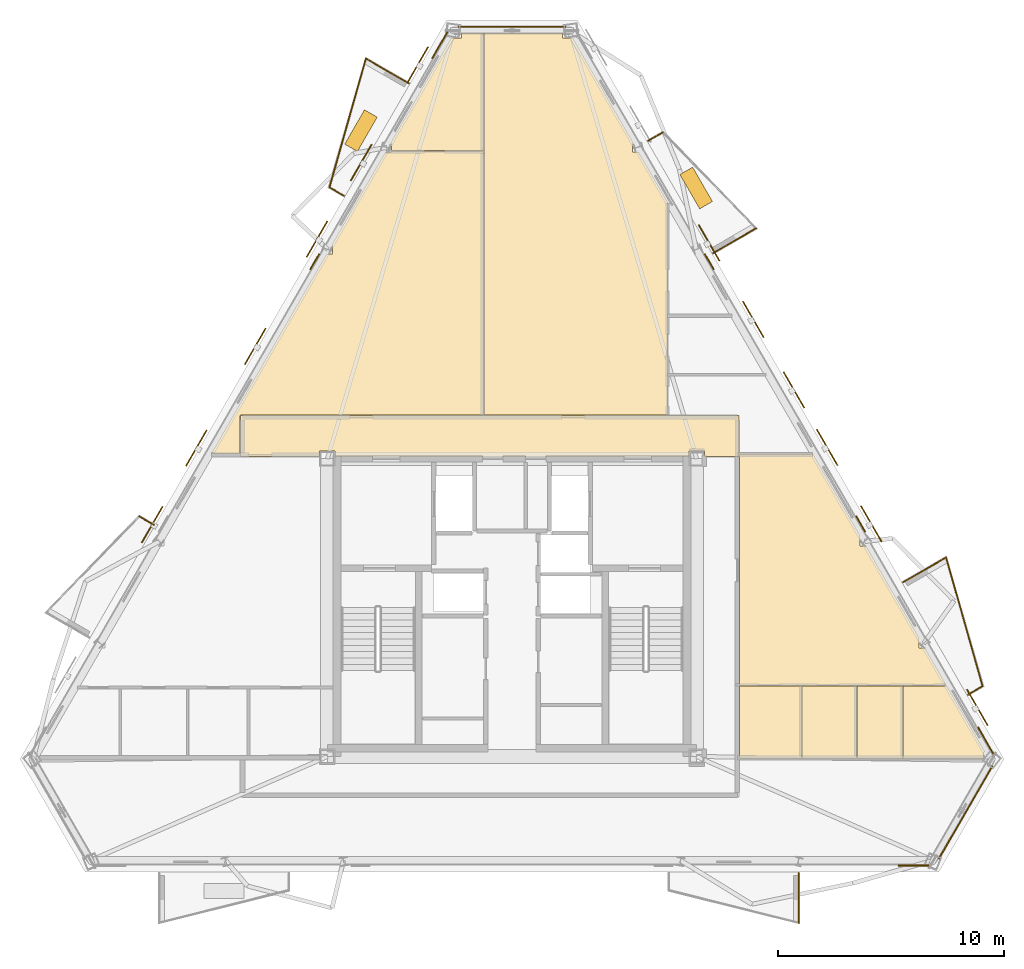
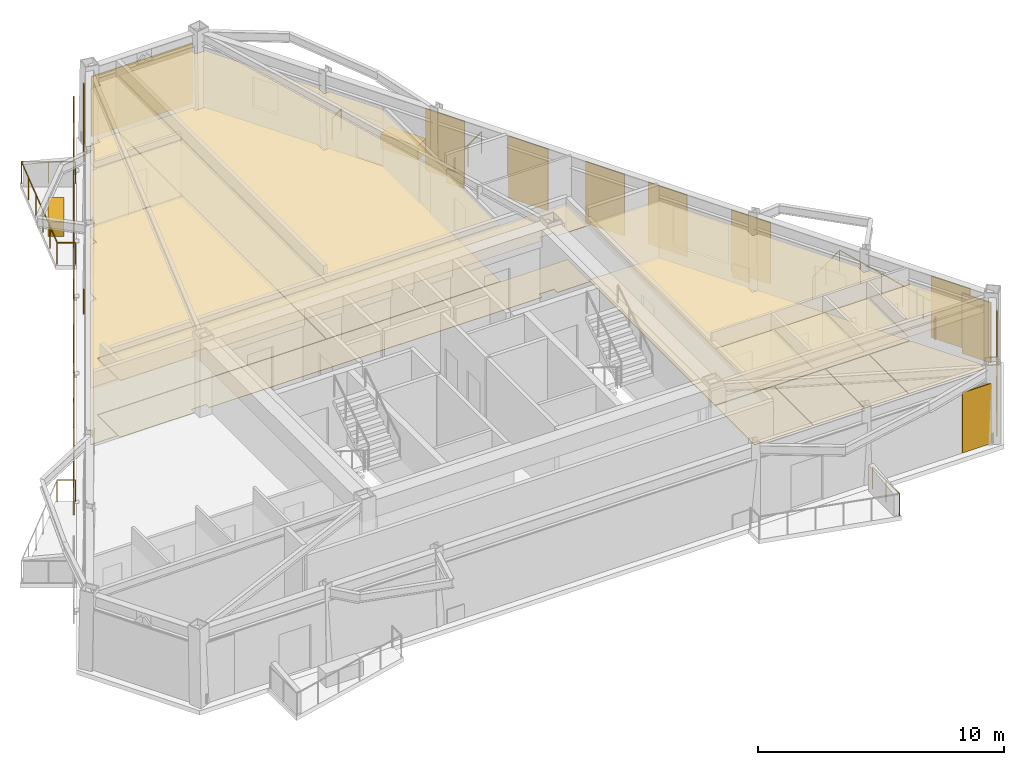
# One storey, part 8 of 9: 28 coverings, 12 shading devices, 10 railings.
"""IFC4 building model written with IfcOpenShell, lengths in metres."""

import ifcopenshell
import ifcopenshell.guid

model = None  # the IFC model being written
_history = None  # IfcOwnerHistory: only IFC2X3 demands one
_inside = {}  # id of a spatial element -> (the spatial element, [elements in it])
_under = {}  # id of a project, library or spatial element -> (it, [spatial elements below it])
_declared = {}  # id of a project -> (the project, [libraries it declares])
_typed = {}  # id of a type object -> (the type object, [elements of that type])
_made_of = {}  # id of a material, layer set ... -> (it, [elements and type objects made of it])


def new_model(schema):
    """Start an empty IFC model of exactly this schema.

    Asked for "IFC4X3", IfcOpenShell would pick the latest addendum, in which some entities
    have other attributes; the version numbers below select the first issue.
    IFC2X3 requires an IfcOwnerHistory on every rooted entity: one is made here for all.
    """
    global model, _history
    if schema == "IFC4X3":
        model = ifcopenshell.file(schema_version=(4, 3, 0, 0))
    else:
        model = ifcopenshell.file(schema=schema)
    _inside.clear()
    _under.clear()
    _declared.clear()
    _typed.clear()
    _made_of.clear()
    _history = None
    if model.schema == "IFC2X3":
        org = make("IfcOrganization", Name="unknown")
        user = make(
            "IfcPersonAndOrganization",
            ThePerson=make("IfcPerson", FamilyName="unknown"),
            TheOrganization=org,
        )
        app = make(
            "IfcApplication",
            ApplicationDeveloper=org,
            Version="unknown",
            ApplicationFullName="unknown",
            ApplicationIdentifier="unknown",
        )
        _history = make(
            "IfcOwnerHistory",
            OwningUser=user,
            OwningApplication=app,
            ChangeAction="ADDED",
            CreationDate=0,
        )
    return model


def make(cls, **values):
    """One entity of the class cls with the attributes given. An attribute that is None is left unset."""
    return model.create_entity(
        cls, **{name: value for name, value in values.items() if value is not None}
    )


def rooted(cls, **values):
    """An entity with a GlobalId (a new one), such as an element, a storey or a relation."""
    return make(cls, GlobalId=ifcopenshell.guid.new(), OwnerHistory=_history, **values)


def si_unit(unit_type, name, prefix=None):
    """IfcSIUnit, for example si_unit("LENGTHUNIT", "METRE", prefix="MILLI")."""
    return make("IfcSIUnit", UnitType=unit_type, Prefix=prefix, Name=name)


def assignment(units):
    """IfcUnitAssignment: the units of a project."""
    return None if units is None else make("IfcUnitAssignment", Units=units)


def point(xyz):
    """IfcCartesianPoint."""
    return None if xyz is None else make("IfcCartesianPoint", Coordinates=xyz)


def direction(xyz):
    """IfcDirection."""
    return None if xyz is None else make("IfcDirection", DirectionRatios=xyz)


def frame(location, z_axis=None, x_axis=None):
    """IfcAxis2Placement3D, a coordinate frame: its origin and axes. An axis left out is left unset."""
    return make(
        "IfcAxis2Placement3D",
        Location=point(location),
        Axis=direction(z_axis),
        RefDirection=direction(x_axis),
    )


def frame_2d(location, x_axis=None):
    """IfcAxis2Placement2D, a coordinate frame in the plane: its origin and x axis."""
    return make(
        "IfcAxis2Placement2D", Location=point(location), RefDirection=direction(x_axis)
    )


def origin():
    """The frame at (0, 0, 0) with its axes left unset."""
    return frame((0.0, 0.0, 0.0))


def origin_2d():
    """The frame at (0, 0) in the plane with its x axis left unset."""
    return frame_2d((0.0, 0.0))


def place(relative_to, where):
    """IfcLocalPlacement: puts the frame where relative to a parent placement (None: the world)."""
    return make(
        "IfcLocalPlacement", PlacementRelTo=relative_to, RelativePlacement=where
    )


def context(
    kind, dimensions, precision=None, world=None, true_north=None, identifier=None
):
    """IfcGeometricRepresentationContext, for example the 3D "Model" context."""
    return make(
        "IfcGeometricRepresentationContext",
        ContextIdentifier=identifier,
        ContextType=kind,
        CoordinateSpaceDimension=dimensions,
        Precision=precision,
        WorldCoordinateSystem=world,
        TrueNorth=true_north,
    )


def subcontext(parent, identifier, kind, view, scale=None):
    """IfcGeometricRepresentationSubContext, for example "Body" below "Model"."""
    return make(
        "IfcGeometricRepresentationSubContext",
        ContextIdentifier=identifier,
        ContextType=kind,
        ParentContext=parent,
        TargetScale=scale,
        TargetView=view,
    )


def project(units=None, contexts=None):
    """IfcProject with its units and contexts."""
    return rooted(
        "IfcProject",
        Name="project",
        RepresentationContexts=contexts,
        UnitsInContext=assignment(units),
    )


def spatial(cls, under=None, at=None, **own):
    """A site, building, storey or space (cls), placed at a placement, below another one or the project."""
    s = rooted(cls, ObjectPlacement=at, **own)
    if under is not None:
        _under.setdefault(under.id(), (under, []))[1].append(s)
    return s


def polyline(points):
    """IfcPolyline through the points."""
    return make("IfcPolyline", Points=[point(p) for p in points])


def profile(cls, at=None, kind="AREA", **sizes):
    """A parametric profile (cls). Its sizes go by their IFC names, for example OverallWidth=200.0."""
    return make(cls, ProfileType=kind, Position=at, **sizes)


def rectangle(**sizes):
    """IfcRectangleProfileDef."""
    return profile("IfcRectangleProfileDef", **sizes)


def circle(**sizes):
    """IfcCircleProfileDef."""
    return profile("IfcCircleProfileDef", **sizes)


def outline(outer, holes=None, kind="AREA"):
    """IfcArbitraryClosedProfileDef: a profile drawn as a closed curve; with holes, ...WithVoids."""
    if holes is None:
        return make("IfcArbitraryClosedProfileDef", ProfileType=kind, OuterCurve=outer)
    return make(
        "IfcArbitraryProfileDefWithVoids",
        ProfileType=kind,
        OuterCurve=outer,
        InnerCurves=holes,
    )


def extrude(swept, where, along, depth):
    """IfcExtrudedAreaSolid: the profile swept, set in the frame where, extruded along a direction by depth."""
    return make(
        "IfcExtrudedAreaSolid",
        SweptArea=swept,
        Position=where,
        ExtrudedDirection=direction(along),
        Depth=depth,
    )


def shape(context_of_items, identifier, shape_type, items):
    """IfcShapeRepresentation: the items that make up one representation, for example the "Body"."""
    return make(
        "IfcShapeRepresentation",
        ContextOfItems=context_of_items,
        RepresentationIdentifier=identifier,
        RepresentationType=shape_type,
        Items=items,
    )


def material(Name=None, Category=None):
    """IfcMaterial."""
    return make("IfcMaterial", Name=Name, Category=Category)


def layer(
    of_material, thickness, ventilated=None, Name=None, Category=None, Priority=None
):
    """IfcMaterialLayer: one layer of a wall or slab, of a material (None: an air gap)."""
    return make(
        "IfcMaterialLayer",
        Material=of_material,
        LayerThickness=thickness,
        IsVentilated=ventilated,
        Name=Name,
        Category=Category,
        Priority=Priority,
    )


def layer_set(layers, Name=None):
    """IfcMaterialLayerSet."""
    return make("IfcMaterialLayerSet", MaterialLayers=layers, LayerSetName=Name)


def made_of(thing, what):
    """Note that an element or type object is made of a material, layer set ...; save() writes the relation."""
    if what is not None:
        _made_of.setdefault(what.id(), (what, []))[1].append(thing)
    return thing


def type_object(cls, material=None, **own):
    """A type object (cls), such as IfcWallType, which elements share."""
    return made_of(rooted(cls, **own), material)


def element(
    cls,
    number,
    at=None,
    inside=None,
    cuts=None,
    type_object=None,
    material=None,
    context=None,
    identifier="Body",
    shape_type=None,
    held_by="IfcProductDefinitionShape",
    body=None,
    shapes=None,
    **own,
):
    """One element of the class cls, such as IfcWall. Its Tag is "e" and its number.

    at: its placement. inside: the storey or other place that contains it. cuts: it is an
    opening in that element (IfcRelVoidsElement). A single representation is given by context,
    identifier, shape_type and body (its items); several are given by shapes. held_by: the class
    of the entity that holds the representations. save() writes the other relations.
    """
    e = rooted(cls, Tag="e%d" % number, ObjectPlacement=at, **own)
    if body is not None:
        shapes = [shape(context, identifier, shape_type, body)]
    if shapes is not None:
        e.Representation = make(held_by, Representations=shapes)
    if inside is not None:
        _inside.setdefault(inside.id(), (inside, []))[1].append(e)
    if cuts is not None:
        rooted(
            "IfcRelVoidsElement", RelatingBuildingElement=cuts, RelatedOpeningElement=e
        )
    if type_object is not None:
        _typed.setdefault(type_object.id(), (type_object, []))[1].append(e)
    return made_of(e, material)


def aggregate(whole, parts):
    """IfcRelAggregates: a whole, such as a stair, and the parts it consists of."""
    return rooted("IfcRelAggregates", RelatingObject=whole, RelatedObjects=parts)


def save(model, path):
    """Write the relations noted so far, then the file.

    IfcRelAggregates (storeys below a building ...), IfcRelContainedInSpatialStructure (elements
    in a storey), IfcRelDefinesByType, IfcRelAssociatesMaterial and IfcRelDeclares: one each for
    every whole, place, type object, material and project.
    """
    for whole, parts in _under.values():
        aggregate(whole, parts)
    for where, things in _inside.values():
        rooted(
            "IfcRelContainedInSpatialStructure",
            RelatedElements=things,
            RelatingStructure=where,
        )
    for kind, things in _typed.values():
        rooted("IfcRelDefinesByType", RelatedObjects=things, RelatingType=kind)
    for what, things in _made_of.values():
        rooted("IfcRelAssociatesMaterial", RelatedObjects=things, RelatingMaterial=what)
    for by, libraries in _declared.values():
        rooted("IfcRelDeclares", RelatingContext=by, RelatedDefinitions=libraries)
    model.write(path)


model = new_model("IFC4")

# Units and contexts
model_context = context("Model", 3, precision=1e-05, world=origin(), true_north=direction((0.0, 1.0)))
body_context = subcontext(model_context, "Body", "Model", "MODEL_VIEW")
ifc_project = project(units=[si_unit("LENGTHUNIT", "METRE"), si_unit("AREAUNIT", "SQUARE_METRE"), si_unit("VOLUMEUNIT", "CUBIC_METRE"), si_unit("PLANEANGLEUNIT", "RADIAN"), si_unit("MASSUNIT", "GRAM", prefix="KILO")], contexts=[model_context])

# Site, building, storey
site_placement = place(None, origin())
site = spatial("IfcSite", under=ifc_project, at=site_placement, CompositionType="ELEMENT")
building_placement = place(site_placement, origin())
building = spatial("IfcBuilding", under=site, at=building_placement, Name="Oramaril Tower", CompositionType="ELEMENT")
storey_placement = place(building_placement, frame((0.0, 0.0, 257.699951171875)))
storey = spatial("IfcBuildingStorey", under=building, at=storey_placement, Name="L68", CompositionType="ELEMENT", Elevation=257.699951171875)

# Coverings
ifc_material_1 = material(Name="Mineral Fibre Acoustic Ceiling")
ifc_layer_1 = layer(ifc_material_1, 0.02001953125)
ifc_layer_set_1 = layer_set([ifc_layer_1], Name="CVT-CEIL")
covering_type_1 = type_object("IfcCoveringType", Name="CVT-CEIL", PredefinedType="CEILING", material=ifc_layer_set_1)
covering_1_placement = place(storey_placement, frame((0.0, 0.0, 2.81201171875)))
element("IfcCovering", 1, at=covering_1_placement, inside=storey, type_object=covering_type_1, Name="L68 Acoustic Suspended Ceiling 2", PredefinedType="CEILING", context=body_context, shape_type="SweptSolid", body=[
    extrude(outline(polyline([(47.530029296875, 24.239990234375), (45.9951171875, 24.239990234375), (45.9951171875, 24.4951171875), (45.304931640625, 24.4951171875), (45.304931640625, 24.25), (29.695068359375, 24.25), (29.695068359375, 24.4951171875), (29.0048828125, 24.4951171875), (29.0048828125, 24.239990234375), (25.52001953125, 24.239990234375), (25.52001953125, 26.050048828125), (47.530029296875, 26.050048828125), (47.530029296875, 24.239990234375)])), origin(), (0.0, 0.0, 1.0), 0.02001953125),
])
covering_2_placement = place(storey_placement, frame((0.0, 0.0, 2.81201171875)))
element("IfcCovering", 2, at=covering_2_placement, inside=storey, type_object=covering_type_1, Name="L68 Acoustic Suspended Ceiling 9", PredefinedType="CEILING", context=body_context, shape_type="SweptSolid", body=[
    extrude(outline(polyline([(52.8759765625, 20.744873046875), (52.865478515625, 20.744873046875), (52.865478515625, 20.293212890625), (53.13671875, 20.293212890625), (55.4765625, 16.240478515625), (55.469482421875, 16.240478515625), (55.469482421875, 15.78271484375), (55.74072265625, 15.78271484375), (56.6962890625, 14.1279296875), (47.550048828125, 14.1279296875), (47.550048828125, 24.219970703125), (47.5498046875, 24.221923828125), (47.549560546875, 24.223876953125), (47.549072265625, 24.225830078125), (47.548583984375, 24.227783203125), (47.547607421875, 24.2294921875), (47.54736328125, 24.22998046875), (47.547607421875, 24.230712890625), (47.548583984375, 24.232421875), (47.549072265625, 24.234130859375), (47.549560546875, 24.236083984375), (47.5498046875, 24.238037109375), (47.550048828125, 24.239990234375), (47.550048828125, 24.362060546875), (50.78759765625, 24.362060546875), (52.8759765625, 20.744873046875)])), origin(), (0.0, 0.0, 1.0), 0.02001953125),
])
covering_3_placement = place(storey_placement, frame((0.0, 0.0, 2.81201171875)))
element("IfcCovering", 3, at=covering_3_placement, inside=storey, type_object=covering_type_1, Name="L68 Acoustic Suspended Ceiling 10", PredefinedType="CEILING", context=body_context, shape_type="SweptSolid", body=[
    extrude(outline(polyline([(50.292724609375, 10.907958984375), (47.550048828125, 10.907958984375), (47.550048828125, 11.030029296875), (47.5498046875, 11.031982421875), (47.549560546875, 11.033935546875), (47.549072265625, 11.035888671875), (47.548583984375, 11.03759765625), (47.547607421875, 11.039306640625), (47.54736328125, 11.0400390625), (47.547607421875, 11.04052734375), (47.548583984375, 11.042236328125), (47.549072265625, 11.044189453125), (47.549560546875, 11.046142578125), (47.5498046875, 11.048095703125), (47.550048828125, 11.050048828125), (47.550048828125, 14.10791015625), (50.292724609375, 14.10791015625), (50.292724609375, 10.907958984375)])), origin(), (0.0, 0.0, 1.0), 0.02001953125),
])
covering_4_placement = place(storey_placement, frame((0.0, 0.0, 2.81201171875)))
element("IfcCovering", 4, at=covering_4_placement, inside=storey, type_object=covering_type_1, Name="L68 Acoustic Suspended Ceiling 11", PredefinedType="CEILING", context=body_context, shape_type="SweptSolid", body=[
    extrude(outline(polyline([(50.312744140625, 10.907958984375), (50.312744140625, 14.10791015625), (52.7041015625, 14.10791015625), (52.7041015625, 10.907958984375), (50.312744140625, 10.907958984375)])), origin(), (0.0, 0.0, 1.0), 0.02001953125),
])
covering_5_placement = place(storey_placement, frame((0.0, 0.0, 2.81201171875)))
element("IfcCovering", 5, at=covering_5_placement, inside=storey, type_object=covering_type_1, Name="L68 Acoustic Suspended Ceiling 12", PredefinedType="CEILING", context=body_context, shape_type="SweptSolid", body=[
    extrude(outline(polyline([(52.72412109375, 10.907958984375), (52.72412109375, 14.10791015625), (54.75390625, 14.10791015625), (54.75390625, 10.907958984375), (52.72412109375, 10.907958984375)])), origin(), (0.0, 0.0, 1.0), 0.02001953125),
])
covering_6_placement = place(storey_placement, frame((0.0, 0.0, 2.81201171875)))
element("IfcCovering", 6, at=covering_6_placement, inside=storey, type_object=covering_type_1, Name="L68 Acoustic Suspended Ceiling 13", PredefinedType="CEILING", context=body_context, shape_type="SweptSolid", body=[
    extrude(outline(polyline([(58.33203125, 11.2060546875), (58.33203125, 10.907958984375), (54.77392578125, 10.907958984375), (54.77392578125, 14.10791015625), (56.6962890625, 14.10791015625), (56.6982421875, 14.108154296875), (56.7001953125, 14.1083984375), (56.7021484375, 14.10888671875), (56.703857421875, 14.109619140625), (56.705810546875, 14.1103515625), (56.706298828125, 14.110595703125), (58.38330078125, 11.2060546875), (58.33203125, 11.2060546875)])), origin(), (0.0, 0.0, 1.0), 0.02001953125),
])
covering_7_placement = place(storey_placement, frame((0.0, 0.0, 2.81201171875)))
element("IfcCovering", 7, at=covering_7_placement, inside=storey, type_object=covering_type_1, Name="L68 Acoustic Suspended Ceiling 14", PredefinedType="CEILING", context=body_context, shape_type="SweptSolid", body=[
    extrude(outline(polyline([(29.30322265625, 33.179443359375), (29.574462890625, 33.179443359375), (29.574462890625, 33.614501953125), (29.554443359375, 33.614501953125), (31.9072265625, 37.689697265625), (32.178466796875, 37.689697265625), (32.178466796875, 37.7470703125), (36.241943359375, 37.7470703125), (36.241943359375, 26.070068359375), (25.52001953125, 26.070068359375), (25.51806640625, 26.06982421875), (25.51611328125, 26.069580078125), (25.51416015625, 26.069091796875), (25.51220703125, 26.068603515625), (25.510498046875, 26.067626953125), (25.5087890625, 26.066650390625), (25.50732421875, 26.0654296875), (25.505859375, 26.064208984375), (25.50439453125, 26.062744140625), (25.50341796875, 26.06103515625), (25.50244140625, 26.059326171875), (25.50146484375, 26.0576171875), (25.5009765625, 26.055908203125), (25.50048828125, 26.053955078125), (25.5, 26.052001953125), (25.5, 26.050048828125), (25.5, 24.382080078125), (24.22412109375, 24.382080078125), (29.30322265625, 33.179443359375)])), origin(), (0.0, 0.0, 1.0), 0.02001953125),
])
covering_8_placement = place(storey_placement, frame((0.0, 0.0, 2.81201171875)))
element("IfcCovering", 8, at=covering_8_placement, inside=storey, type_object=covering_type_1, Name="L68 Acoustic Suspended Ceiling 15", PredefinedType="CEILING", context=body_context, shape_type="SweptSolid", body=[
    extrude(outline(polyline([(32.178466796875, 38.118896484375), (32.15478515625, 38.118896484375), (34.817626953125, 42.73095703125), (35.26806640625, 42.73095703125), (35.26806640625, 42.952392578125), (36.241943359375, 42.952392578125), (36.241943359375, 37.76708984375), (32.178466796875, 37.76708984375), (32.178466796875, 38.118896484375)])), origin(), (0.0, 0.0, 1.0), 0.02001953125),
])
covering_9_placement = place(storey_placement, frame((0.0, 0.0, 2.81201171875)))
element("IfcCovering", 9, at=covering_9_placement, inside=storey, type_object=covering_type_1, Name="L68 Acoustic Suspended Ceiling 16", PredefinedType="CEILING", context=body_context, shape_type="SweptSolid", body=[
    extrude(outline(polyline([(39.73193359375, 42.952392578125), (39.73193359375, 42.73095703125), (40.182373046875, 42.73095703125), (42.844970703125, 38.118896484375), (42.821533203125, 38.118896484375), (42.821533203125, 37.689697265625), (43.0927734375, 37.689697265625), (44.3974609375, 35.429931640625), (44.3974609375, 26.070068359375), (36.261962890625, 26.070068359375), (36.261962890625, 37.7470703125), (36.261962890625, 37.7490234375), (36.26171875, 37.7509765625), (36.260986328125, 37.752685546875), (36.260498046875, 37.754638671875), (36.259521484375, 37.75634765625), (36.25927734375, 37.757080078125), (36.259521484375, 37.757568359375), (36.260498046875, 37.75927734375), (36.260986328125, 37.76123046875), (36.26171875, 37.76318359375), (36.261962890625, 37.764892578125), (36.261962890625, 37.76708984375), (36.261962890625, 42.952392578125), (39.73193359375, 42.952392578125)])), origin(), (0.0, 0.0, 1.0), 0.02001953125),
])
ifc_material_2 = material(Name="Warm Cream Limestone", Category="masonry")
ifc_layer_2 = layer(ifc_material_2, 0.050048828125)
ifc_layer_set_2 = layer_set([ifc_layer_2], Name="CVT-CLD")
covering_type_2 = type_object("IfcCoveringType", Name="CVT-CLD", PredefinedType="CLADDING", material=ifc_layer_set_2)
covering_10_placement = place(storey_placement, frame((55.2255859375, 6.185546875, 0.0400390625), z_axis=(0.0, 0.0, 1.0), x_axis=(1.0, 0.0, 0.0)))
element("IfcCovering", 10, at=covering_10_placement, inside=storey, type_object=covering_type_2, Name="L68 Warm Cream Limestone Cladding", PredefinedType="CLADDING", context=body_context, shape_type="SweptSolid", body=[
    extrude(rectangle(XDim=1.35009765625, YDim=0.050048828125, at=origin_2d()), origin(), (0.0, 0.0, 1.0), 2.97802734375),
])
covering_11_placement = place(storey_placement, frame((57.529541015625, 8.535888671875, 0.0400390625), z_axis=(0.0, 0.0, 1.0), x_axis=(0.500009068969, 0.866020167749, 0.0)))
element("IfcCovering", 11, at=covering_11_placement, inside=storey, type_object=covering_type_2, Name="L68 Warm Cream Limestone Cladding", PredefinedType="CLADDING", context=body_context, shape_type="SweptSolid", body=[
    extrude(rectangle(XDim=4.733642578125, YDim=0.050048828125, at=origin_2d()), origin(), (0.0, 0.0, 1.0), 2.97802734375),
])
covering_12_placement = place(storey_placement, frame((58.4130859375, 11.706298828125, 0.0400390625), z_axis=(0.0, 0.0, 1.0), x_axis=(-0.5, 0.866025403784, 0.0)))
element("IfcCovering", 12, at=covering_12_placement, inside=storey, type_object=covering_type_2, Name="L68 Warm Cream Limestone Cladding", PredefinedType="CLADDING", context=body_context, shape_type="SweptSolid", body=[
    extrude(rectangle(XDim=1.35009765625, YDim=0.050048828125, at=origin_2d()), origin(), (0.0, 0.0, 1.0), 2.97802734375),
])
for number, where, z_axis, x_axis, name in (
    (13, (52.893798828125, 21.265869140625, 0.0400390625), (0.0, 0.0, 1.0), (-0.5, 0.866025403784, 0.0), "L68 Warm Cream Limestone Spandrel Cladding"),
    (14, (46.20654296875, 32.8486328125, 0.0400390625), (0.0, 0.0, 1.0), (-0.5, 0.866025403784, 0.0), "L68 Warm Cream Limestone Spandrel Cladding"),
):
    element("IfcCovering", number, at=place(storey_placement, frame(where, z_axis=z_axis, x_axis=x_axis)), inside=storey, type_object=covering_type_2, Name=name, PredefinedType="CLADDING", context=body_context, shape_type="SweptSolid", body=[
        extrude(rectangle(XDim=0.800048828125, YDim=0.050048828125, at=origin_2d()), origin(), (0.0, 0.0, 1.0), 0.679931640625),
    ])
covering_13_placement = place(storey_placement, frame((37.5, 43.228271484375, 0.0400390625), z_axis=(0.0, 0.0, 1.0), x_axis=(-1.0, 0.0, 0.0)))
element("IfcCovering", 15, at=covering_13_placement, inside=storey, type_object=covering_type_2, Name="L68 Warm Cream Limestone Cladding", PredefinedType="CLADDING", context=body_context, shape_type="SweptSolid", body=[
    extrude(rectangle(XDim=4.733642578125, YDim=0.050048828125, at=origin_2d()), origin(), (0.0, 0.0, 1.0), 2.97802734375),
])
covering_14_placement = place(storey_placement, frame((34.312744140625, 42.408203125, 0.0400390625), z_axis=(0.0, 0.0, 1.0), x_axis=(-0.5, -0.866025403784, 0.0)))
element("IfcCovering", 16, at=covering_14_placement, inside=storey, type_object=covering_type_2, Name="L68 Warm Cream Limestone Cladding", PredefinedType="CLADDING", context=body_context, shape_type="SweptSolid", body=[
    extrude(rectangle(XDim=1.35009765625, YDim=0.050048828125, at=origin_2d()), origin(), (0.0, 0.0, 1.0), 2.97802734375),
])
covering_15_placement = place(storey_placement, frame((28.79345703125, 32.8486328125, 0.0400390625), z_axis=(0.0, 0.0, 1.0), x_axis=(-0.5, -0.866025403784, 0.0)))
element("IfcCovering", 17, at=covering_15_placement, inside=storey, type_object=covering_type_2, Name="L68 Warm Cream Limestone Spandrel Cladding", PredefinedType="CLADDING", context=body_context, shape_type="SweptSolid", body=[
    extrude(rectangle(XDim=0.800048828125, YDim=0.050048828125, at=origin_2d()), origin(), (0.0, 0.0, 1.0), 0.679931640625),
])
for number, where, z_axis, x_axis, name in (
    (18, (45.6318359375, 36.10107421875, 0.0), (0.0, 0.0, 1.0), (-0.500001511499, 0.866024531118, 0.0), "L68 Structural Tree Planter Box L68-BAL-NE2"),
    (19, (30.83056640625, 38.63427734375, 0.0), (0.0, 0.0, 1.0), (-0.500001511499, -0.866024531118, 0.0), "L68 Structural Tree Planter Box L68-BAL-NW1"),
):
    element("IfcCovering", number, at=place(storey_placement, frame(where, z_axis=z_axis, x_axis=x_axis)), inside=storey, type_object=covering_type_2, Name=name, PredefinedType="CLADDING", context=body_context, shape_type="SweptSolid", body=[
        extrude(rectangle(XDim=1.75, YDim=0.64990234375, at=origin_2d()), origin(), (0.0, 0.0, 1.0), 0.699951171875),
    ])
ifc_material_3 = material(Name="Honed Quartzite Stone Flooring", Category="masonry")
ifc_layer_3 = layer(ifc_material_3, 0.02490234375)
ifc_layer_set_3 = layer_set([ifc_layer_3], Name="CVT-FLR")
covering_type_3 = type_object("IfcCoveringType", Name="CVT-FLR", PredefinedType="FLOORING", material=ifc_layer_set_3)
covering_16_placement = place(storey_placement, origin())
element("IfcCovering", 20, at=covering_16_placement, inside=storey, type_object=covering_type_3, Name="L68 Honed Stone Floor Finish 2", PredefinedType="FLOORING", context=body_context, shape_type="SweptSolid", body=[
    extrude(outline(polyline([(47.530029296875, 24.239990234375), (45.9951171875, 24.239990234375), (45.9951171875, 24.4951171875), (45.304931640625, 24.4951171875), (45.304931640625, 24.25), (29.695068359375, 24.25), (29.695068359375, 24.4951171875), (29.0048828125, 24.4951171875), (29.0048828125, 24.239990234375), (25.52001953125, 24.239990234375), (25.52001953125, 26.050048828125), (47.530029296875, 26.050048828125), (47.530029296875, 24.239990234375)])), origin(), (0.0, 0.0, 1.0), 0.025146484375),
])
covering_17_placement = place(storey_placement, origin())
element("IfcCovering", 21, at=covering_17_placement, inside=storey, type_object=covering_type_3, Name="L68 Honed Stone Floor Finish 9", PredefinedType="FLOORING", context=body_context, shape_type="SweptSolid", body=[
    extrude(outline(polyline([(52.8759765625, 20.744873046875), (52.865478515625, 20.744873046875), (52.865478515625, 20.293212890625), (53.13671875, 20.293212890625), (55.4765625, 16.240478515625), (55.469482421875, 16.240478515625), (55.469482421875, 15.78271484375), (55.74072265625, 15.78271484375), (56.6962890625, 14.1279296875), (47.550048828125, 14.1279296875), (47.550048828125, 24.219970703125), (47.5498046875, 24.221923828125), (47.549560546875, 24.223876953125), (47.549072265625, 24.225830078125), (47.548583984375, 24.227783203125), (47.547607421875, 24.2294921875), (47.54736328125, 24.22998046875), (47.547607421875, 24.230712890625), (47.548583984375, 24.232421875), (47.549072265625, 24.234130859375), (47.549560546875, 24.236083984375), (47.5498046875, 24.238037109375), (47.550048828125, 24.239990234375), (47.550048828125, 24.362060546875), (50.78759765625, 24.362060546875), (52.8759765625, 20.744873046875)])), origin(), (0.0, 0.0, 1.0), 0.025146484375),
])
covering_18_placement = place(storey_placement, origin())
element("IfcCovering", 22, at=covering_18_placement, inside=storey, type_object=covering_type_3, Name="L68 Honed Stone Floor Finish 10", PredefinedType="FLOORING", context=body_context, shape_type="SweptSolid", body=[
    extrude(outline(polyline([(50.292724609375, 10.907958984375), (47.550048828125, 10.907958984375), (47.550048828125, 11.030029296875), (47.5498046875, 11.031982421875), (47.549560546875, 11.033935546875), (47.549072265625, 11.035888671875), (47.548583984375, 11.03759765625), (47.547607421875, 11.039306640625), (47.54736328125, 11.0400390625), (47.547607421875, 11.04052734375), (47.548583984375, 11.042236328125), (47.549072265625, 11.044189453125), (47.549560546875, 11.046142578125), (47.5498046875, 11.048095703125), (47.550048828125, 11.050048828125), (47.550048828125, 14.10791015625), (50.292724609375, 14.10791015625), (50.292724609375, 10.907958984375)])), origin(), (0.0, 0.0, 1.0), 0.025146484375),
])
covering_19_placement = place(storey_placement, origin())
element("IfcCovering", 23, at=covering_19_placement, inside=storey, type_object=covering_type_3, Name="L68 Honed Stone Floor Finish 11", PredefinedType="FLOORING", context=body_context, shape_type="SweptSolid", body=[
    extrude(outline(polyline([(50.312744140625, 10.907958984375), (50.312744140625, 14.10791015625), (52.7041015625, 14.10791015625), (52.7041015625, 10.907958984375), (50.312744140625, 10.907958984375)])), origin(), (0.0, 0.0, 1.0), 0.025146484375),
])
covering_20_placement = place(storey_placement, origin())
element("IfcCovering", 24, at=covering_20_placement, inside=storey, type_object=covering_type_3, Name="L68 Honed Stone Floor Finish 12", PredefinedType="FLOORING", context=body_context, shape_type="SweptSolid", body=[
    extrude(outline(polyline([(52.72412109375, 10.907958984375), (52.72412109375, 14.10791015625), (54.75390625, 14.10791015625), (54.75390625, 10.907958984375), (52.72412109375, 10.907958984375)])), origin(), (0.0, 0.0, 1.0), 0.025146484375),
])
covering_21_placement = place(storey_placement, origin())
element("IfcCovering", 25, at=covering_21_placement, inside=storey, type_object=covering_type_3, Name="L68 Honed Stone Floor Finish 13", PredefinedType="FLOORING", context=body_context, shape_type="SweptSolid", body=[
    extrude(outline(polyline([(58.33203125, 11.2060546875), (58.33203125, 10.907958984375), (54.77392578125, 10.907958984375), (54.77392578125, 14.10791015625), (56.6962890625, 14.10791015625), (56.6982421875, 14.108154296875), (56.7001953125, 14.1083984375), (56.7021484375, 14.10888671875), (56.703857421875, 14.109619140625), (56.705810546875, 14.1103515625), (56.706298828125, 14.110595703125), (58.38330078125, 11.2060546875), (58.33203125, 11.2060546875)])), origin(), (0.0, 0.0, 1.0), 0.025146484375),
])
covering_22_placement = place(storey_placement, origin())
element("IfcCovering", 26, at=covering_22_placement, inside=storey, type_object=covering_type_3, Name="L68 Honed Stone Floor Finish 14", PredefinedType="FLOORING", context=body_context, shape_type="SweptSolid", body=[
    extrude(outline(polyline([(29.30322265625, 33.179443359375), (29.574462890625, 33.179443359375), (29.574462890625, 33.614501953125), (29.554443359375, 33.614501953125), (31.9072265625, 37.689697265625), (32.178466796875, 37.689697265625), (32.178466796875, 37.7470703125), (36.241943359375, 37.7470703125), (36.241943359375, 26.070068359375), (25.52001953125, 26.070068359375), (25.51806640625, 26.06982421875), (25.51611328125, 26.069580078125), (25.51416015625, 26.069091796875), (25.51220703125, 26.068603515625), (25.510498046875, 26.067626953125), (25.5087890625, 26.066650390625), (25.50732421875, 26.0654296875), (25.505859375, 26.064208984375), (25.50439453125, 26.062744140625), (25.50341796875, 26.06103515625), (25.50244140625, 26.059326171875), (25.50146484375, 26.0576171875), (25.5009765625, 26.055908203125), (25.50048828125, 26.053955078125), (25.5, 26.052001953125), (25.5, 26.050048828125), (25.5, 24.382080078125), (24.22412109375, 24.382080078125), (29.30322265625, 33.179443359375)])), origin(), (0.0, 0.0, 1.0), 0.025146484375),
])
covering_23_placement = place(storey_placement, origin())
element("IfcCovering", 27, at=covering_23_placement, inside=storey, type_object=covering_type_3, Name="L68 Honed Stone Floor Finish 15", PredefinedType="FLOORING", context=body_context, shape_type="SweptSolid", body=[
    extrude(outline(polyline([(32.178466796875, 38.118896484375), (32.15478515625, 38.118896484375), (34.817626953125, 42.73095703125), (35.26806640625, 42.73095703125), (35.26806640625, 42.952392578125), (36.241943359375, 42.952392578125), (36.241943359375, 37.76708984375), (32.178466796875, 37.76708984375), (32.178466796875, 38.118896484375)])), origin(), (0.0, 0.0, 1.0), 0.025146484375),
])
covering_24_placement = place(storey_placement, origin())
element("IfcCovering", 28, at=covering_24_placement, inside=storey, type_object=covering_type_3, Name="L68 Honed Stone Floor Finish 16", PredefinedType="FLOORING", context=body_context, shape_type="SweptSolid", body=[
    extrude(outline(polyline([(39.73193359375, 42.952392578125), (39.73193359375, 42.73095703125), (40.182373046875, 42.73095703125), (42.844970703125, 38.118896484375), (42.821533203125, 38.118896484375), (42.821533203125, 37.689697265625), (43.0927734375, 37.689697265625), (44.3974609375, 35.429931640625), (44.3974609375, 26.070068359375), (36.261962890625, 26.070068359375), (36.261962890625, 37.7470703125), (36.261962890625, 37.7490234375), (36.26171875, 37.7509765625), (36.260986328125, 37.752685546875), (36.260498046875, 37.754638671875), (36.259521484375, 37.75634765625), (36.25927734375, 37.757080078125), (36.259521484375, 37.757568359375), (36.260498046875, 37.75927734375), (36.260986328125, 37.76123046875), (36.26171875, 37.76318359375), (36.261962890625, 37.764892578125), (36.261962890625, 37.76708984375), (36.261962890625, 42.952392578125), (39.73193359375, 42.952392578125)])), origin(), (0.0, 0.0, 1.0), 0.025146484375),
])

# Railings
ifc_material_4 = material(Name="Stainless Steel 316L", Category="steel")
railing_type = type_object("IfcRailingType", Name="RLT-GRD", PredefinedType="GUARDRAIL", material=ifc_material_4)
railing_1_placement = place(storey_placement, frame((50.15625, 5.845703125, 0.0)))
element("IfcRailing", 29, at=railing_1_placement, inside=storey, type_object=railing_type, Name="L68 Balcony Guardrail L68-BAL-S2.1", PredefinedType="GUARDRAIL", context=body_context, shape_type="SweptSolid", body=[
    extrude(circle(Radius=0.02392578125, at=origin_2d()), frame((0.0, 0.0, 1.076171875), z_axis=(0.0, -1.0, 0.0), x_axis=(1.0, 0.0, 0.0)), (0.0, 0.0, 1.0), 2.192138671875),
    extrude(circle(Radius=0.02099609375, at=origin_2d()), origin(), (0.0, 0.0, 1.0), 1.052001953125),
    extrude(circle(Radius=0.02099609375, at=origin_2d()), frame((0.0, -1.09619140625, 0.0)), (0.0, 0.0, 1.0), 1.052001953125),
    extrude(circle(Radius=0.02099609375, at=origin_2d()), frame((0.0, -2.192138671875, 0.0)), (0.0, 0.0, 1.0), 1.052001953125),
])
railing_2_placement = place(storey_placement, frame((54.7705078125, 18.695556640625, 0.0)))
element("IfcRailing", 30, at=railing_2_placement, inside=storey, type_object=railing_type, Name="L68 Balcony Guardrail L68-BAL-NE1.1", PredefinedType="GUARDRAIL", context=body_context, shape_type="SweptSolid", body=[
    extrude(circle(Radius=0.02392578125, at=origin_2d()), frame((0.0, 0.0, 1.076171875), z_axis=(0.866020500697, 0.5000084923, 0.0), x_axis=(-0.5000084923, 0.866020500697, 0.0)), (0.0, 0.0, 1.0), 2.19189453125),
    extrude(circle(Radius=0.02099609375, at=origin_2d()), origin(), (0.0, 0.0, 1.0), 1.052001953125),
    extrude(circle(Radius=0.02099609375, at=origin_2d()), frame((0.94921875, 0.5478515625, 0.0)), (0.0, 0.0, 1.0), 1.052001953125),
    extrude(circle(Radius=0.02099609375, at=origin_2d()), frame((1.898193359375, 1.095947265625, 0.0)), (0.0, 0.0, 1.0), 1.052001953125),
])
railing_3_placement = place(storey_placement, frame((56.668701171875, 19.79150390625, 0.0)))
element("IfcRailing", 31, at=railing_3_placement, inside=storey, type_object=railing_type, Name="L68 Balcony Guardrail L68-BAL-NE1.2", PredefinedType="GUARDRAIL", context=body_context, shape_type="SweptSolid", body=[
    extrude(circle(Radius=0.02392578125, at=origin_2d()), frame((0.0, 0.0, 1.076171875), z_axis=(0.272259686627, -0.962223811303, 0.0), x_axis=(0.962223811303, 0.272259686627, 0.0)), (0.0, 0.0, 1.0), 5.910400390625),
    extrude(circle(Radius=0.02099609375, at=origin_2d()), origin(), (0.0, 0.0, 1.0), 1.052001953125),
    extrude(circle(Radius=0.02099609375, at=origin_2d()), frame((0.32177734375, -1.137451171875, 0.0)), (0.0, 0.0, 1.0), 1.052001953125),
    extrude(circle(Radius=0.02099609375, at=origin_2d()), frame((0.6435546875, -2.27490234375, 0.0)), (0.0, 0.0, 1.0), 1.052001953125),
    extrude(circle(Radius=0.02099609375, at=origin_2d()), frame((0.965576171875, -3.412109375, 0.0)), (0.0, 0.0, 1.0), 1.052001953125),
    extrude(circle(Radius=0.02099609375, at=origin_2d()), frame((1.287353515625, -4.549560546875, 0.0)), (0.0, 0.0, 1.0), 1.052001953125),
    extrude(circle(Radius=0.02099609375, at=origin_2d()), frame((1.609130859375, -5.68701171875, 0.0)), (0.0, 0.0, 1.0), 1.052001953125),
])
railing_4_placement = place(storey_placement, frame((58.27783203125, 14.1044921875, 0.0)))
element("IfcRailing", 32, at=railing_4_placement, inside=storey, type_object=railing_type, Name="L68 Balcony Guardrail L68-BAL-NE1.3", PredefinedType="GUARDRAIL", context=body_context, shape_type="SweptSolid", body=[
    extrude(circle(Radius=0.02392578125, at=origin_2d()), frame((0.0, 0.0, 1.076171875), z_axis=(-0.865884080729, -0.500244698863, 0.0), x_axis=(0.500244698863, -0.865884080729, 0.0)), (0.0, 0.0, 1.0), 0.741943359375),
    extrude(circle(Radius=0.02099609375, at=origin_2d()), origin(), (0.0, 0.0, 1.0), 1.052001953125),
    extrude(circle(Radius=0.02099609375, at=origin_2d()), frame((-0.642333984375, -0.37109375, 0.0)), (0.0, 0.0, 1.0), 1.052001953125),
])
railing_5_placement = place(storey_placement, frame((43.5166015625, 38.18798828125, 0.0)))
element("IfcRailing", 33, at=railing_5_placement, inside=storey, type_object=railing_type, Name="L68 Balcony Guardrail L68-BAL-NE2.1", PredefinedType="GUARDRAIL", context=body_context, shape_type="SweptSolid", body=[
    extrude(circle(Radius=0.02392578125, at=origin_2d()), frame((0.0, 0.0, 1.076171875), z_axis=(0.866026623601, 0.49999788721, 0.0), x_axis=(-0.49999788721, 0.866026623601, 0.0)), (0.0, 0.0, 1.0), 0.74169921875),
    extrude(circle(Radius=0.02099609375, at=origin_2d()), origin(), (0.0, 0.0, 1.0), 1.052001953125),
    extrude(circle(Radius=0.02099609375, at=origin_2d()), frame((0.642333984375, 0.370849609375, 0.0)), (0.0, 0.0, 1.0), 1.052001953125),
])
railing_6_placement = place(storey_placement, frame((48.27978515625, 34.32177734375, 0.0)))
element("IfcRailing", 34, at=railing_6_placement, inside=storey, type_object=railing_type, Name="L68 Balcony Guardrail L68-BAL-NE2.3", PredefinedType="GUARDRAIL", context=body_context, shape_type="SweptSolid", body=[
    extrude(circle(Radius=0.02392578125, at=origin_2d()), frame((0.0, 0.0, 1.076171875), z_axis=(-0.865972267571, -0.50009202333, 0.0), x_axis=(0.50009202333, -0.865972267571, 0.0)), (0.0, 0.0, 1.0), 2.19189453125),
    extrude(circle(Radius=0.02099609375, at=origin_2d()), origin(), (0.0, 0.0, 1.0), 1.052001953125),
    extrude(circle(Radius=0.02099609375, at=origin_2d()), frame((-0.94921875, -0.548095703125, 0.0)), (0.0, 0.0, 1.0), 1.052001953125),
    extrude(circle(Radius=0.02099609375, at=origin_2d()), frame((-1.898193359375, -1.09619140625, 0.0)), (0.0, 0.0, 1.0), 1.052001953125),
])
railing_7_placement = place(storey_placement, frame((30.0810546875, 35.7587890625, 0.0)))
element("IfcRailing", 35, at=railing_7_placement, inside=storey, type_object=railing_type, Name="L68 Balcony Guardrail L68-BAL-NW1.1", PredefinedType="GUARDRAIL", context=body_context, shape_type="SweptSolid", body=[
    extrude(circle(Radius=0.02392578125, at=origin_2d()), frame((0.0, 0.0, 1.076171875), z_axis=(-0.865966403178, 0.500102178127, 0.0), x_axis=(-0.500102178127, -0.865966403178, 0.0)), (0.0, 0.0, 1.0), 0.741943359375),
    extrude(circle(Radius=0.02099609375, at=origin_2d()), origin(), (0.0, 0.0, 1.0), 1.052001953125),
    extrude(circle(Radius=0.02099609375, at=origin_2d()), frame((-0.642578125, 0.37109375, 0.0)), (0.0, 0.0, 1.0), 1.052001953125),
])
railing_8_placement = place(storey_placement, frame((29.4384765625, 36.1298828125, 0.0)))
element("IfcRailing", 36, at=railing_8_placement, inside=storey, type_object=railing_type, Name="L68 Balcony Guardrail L68-BAL-NW1.2", PredefinedType="GUARDRAIL", context=body_context, shape_type="SweptSolid", body=[
    extrude(circle(Radius=0.02392578125, at=origin_2d()), frame((0.0, 0.0, 1.076171875), z_axis=(0.272259686627, 0.962223811303, 0.0), x_axis=(-0.962223811303, 0.272259686627, 0.0)), (0.0, 0.0, 1.0), 5.910400390625),
    extrude(circle(Radius=0.02099609375, at=origin_2d()), origin(), (0.0, 0.0, 1.0), 1.052001953125),
    extrude(circle(Radius=0.02099609375, at=origin_2d()), frame((0.32177734375, 1.137451171875, 0.0)), (0.0, 0.0, 1.0), 1.052001953125),
    extrude(circle(Radius=0.02099609375, at=origin_2d()), frame((0.6435546875, 2.27490234375, 0.0)), (0.0, 0.0, 1.0), 1.052001953125),
    extrude(circle(Radius=0.02099609375, at=origin_2d()), frame((0.965576171875, 3.412109375, 0.0)), (0.0, 0.0, 1.0), 1.052001953125),
    extrude(circle(Radius=0.02099609375, at=origin_2d()), frame((1.287353515625, 4.549560546875, 0.0)), (0.0, 0.0, 1.0), 1.052001953125),
    extrude(circle(Radius=0.02099609375, at=origin_2d()), frame((1.609130859375, 5.68701171875, 0.0)), (0.0, 0.0, 1.0), 1.052001953125),
])
railing_9_placement = place(storey_placement, frame((31.047607421875, 41.81689453125, 0.0)))
element("IfcRailing", 37, at=railing_9_placement, inside=storey, type_object=railing_type, Name="L68 Balcony Guardrail L68-BAL-NW1.3", PredefinedType="GUARDRAIL", context=body_context, shape_type="SweptSolid", body=[
    extrude(circle(Radius=0.02392578125, at=origin_2d()), frame((0.0, 0.0, 1.076171875), z_axis=(0.866048343933, -0.499960264392, 0.0), x_axis=(0.499960264392, 0.866048343933, 0.0)), (0.0, 0.0, 1.0), 2.192138671875),
    extrude(circle(Radius=0.02099609375, at=origin_2d()), origin(), (0.0, 0.0, 1.0), 1.052001953125),
    extrude(circle(Radius=0.02099609375, at=origin_2d()), frame((0.94921875, -0.5478515625, 0.0)), (0.0, 0.0, 1.0), 1.052001953125),
    extrude(circle(Radius=0.02099609375, at=origin_2d()), frame((1.8984375, -1.095947265625, 0.0)), (0.0, 0.0, 1.0), 1.052001953125),
])
railing_10_placement = place(storey_placement, frame((21.049560546875, 21.599609375, 0.0)))
element("IfcRailing", 38, at=railing_10_placement, inside=storey, type_object=railing_type, Name="L68 Balcony Guardrail L68-BAL-NW2.3", PredefinedType="GUARDRAIL", context=body_context, shape_type="SweptSolid", body=[
    extrude(circle(Radius=0.02392578125, at=origin_2d()), frame((0.0, 0.0, 1.076171875), z_axis=(0.866108878364, -0.499855389907, 0.0), x_axis=(0.499855389907, 0.866108878364, 0.0)), (0.0, 0.0, 1.0), 0.741943359375),
    extrude(circle(Radius=0.02099609375, at=origin_2d()), origin(), (0.0, 0.0, 1.0), 1.052001953125),
    extrude(circle(Radius=0.02099609375, at=origin_2d()), frame((0.642578125, -0.370849609375, 0.0)), (0.0, 0.0, 1.0), 1.052001953125),
])

# Shading devices
for number, where, z_axis, x_axis, name in (
    (39, (53.367431640625, 21.269287109375, -0.02001953125), (0.0, 0.0, 1.0), (-0.5, 0.866025403784, 0.0), "L68 Perforated Ceramic Solar Screen"),
    (40, (51.41748046875, 24.64697265625, -0.02001953125), (0.0, 0.0, 1.0), (-0.5, 0.866025403784, 0.0), "L68 Perforated Ceramic Solar Screen"),
    (41, (58.046875, 13.16455078125, -0.02001953125), (0.0, 0.0, 1.0), (-0.5, 0.866025403784, 0.0), "L68 Perforated Ceramic Solar Screen"),
    (42, (49.94873046875, 27.19091796875, -0.02001953125), (0.0, 0.0, 1.0), (-0.5, 0.866025403784, 0.0), "L68 Perforated Ceramic Solar Screen"),
    (43, (48.155029296875, 30.2978515625, -0.02001953125), (0.0, 0.0, 1.0), (-0.5, 0.866025403784, 0.0), "L68 Perforated Ceramic Solar Screen"),
    (44, (46.205078125, 33.67529296875, -0.02001953125), (0.0, 0.0, 1.0), (-0.5, 0.866025403784, 0.0), "L68 Perforated Ceramic Solar Screen"),
    (45, (23.565185546875, 24.616943359375, -0.02001953125), (0.0, 0.0, 1.0), (-0.5, -0.866025403784, 0.0), "L68 Perforated Ceramic Solar Screen"),
    (46, (21.615234375, 21.239501953125, -0.02001953125), (0.0, 0.0, 1.0), (-0.5, -0.866025403784, 0.0), "L68 Perforated Ceramic Solar Screen"),
    (47, (30.843505859375, 37.22314453125, -0.02001953125), (0.0, 0.0, 1.0), (-0.5, -0.866025403784, 0.0), "L68 Perforated Ceramic Solar Screen"),
    (48, (28.893310546875, 33.845703125, -0.02001953125), (0.0, 0.0, 1.0), (-0.5, -0.866025403784, 0.0), "L68 Perforated Ceramic Solar Screen"),
    (49, (26.159912109375, 29.111083984375, -0.02001953125), (0.0, 0.0, 1.0), (-0.5, -0.866025403784, 0.0), "L68 Perforated Ceramic Solar Screen"),
    (50, (33.334716796875, 41.5380859375, -0.02001953125), (0.0, 0.0, 1.0), (-0.5, -0.866025403784, 0.0), "L68 Perforated Ceramic Solar Screen"),
):
    element("IfcShadingDevice", number, at=place(storey_placement, frame(where, z_axis=z_axis, x_axis=x_axis)), inside=storey, Name=name, ObjectType="SCREEN", PredefinedType="USERDEFINED", context=body_context, shape_type="SweptSolid", body=[
        extrude(rectangle(XDim=1.8330078125, YDim=0.050048828125, at=origin_2d()), origin(), (0.0, 0.0, 1.0), 3.05810546875),
    ])

save(model, "model.ifc")
